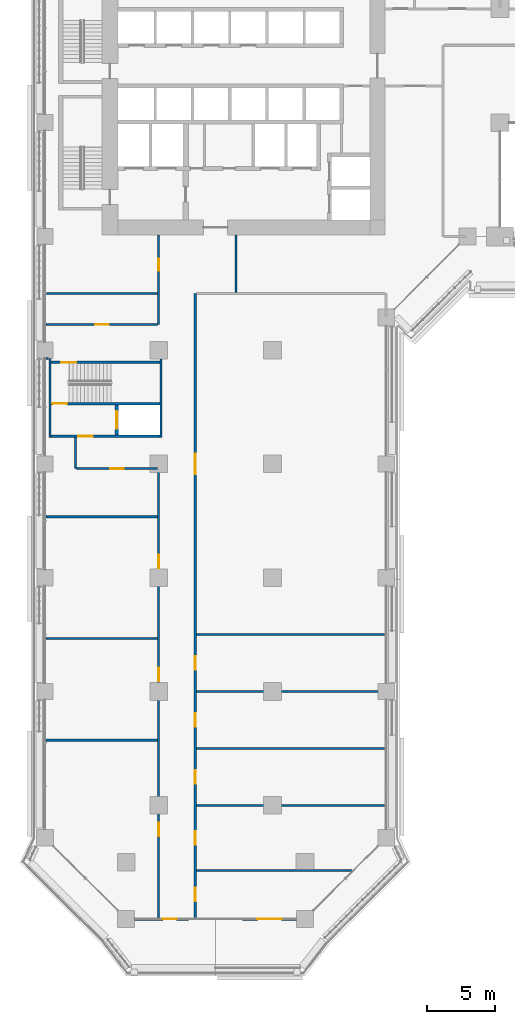
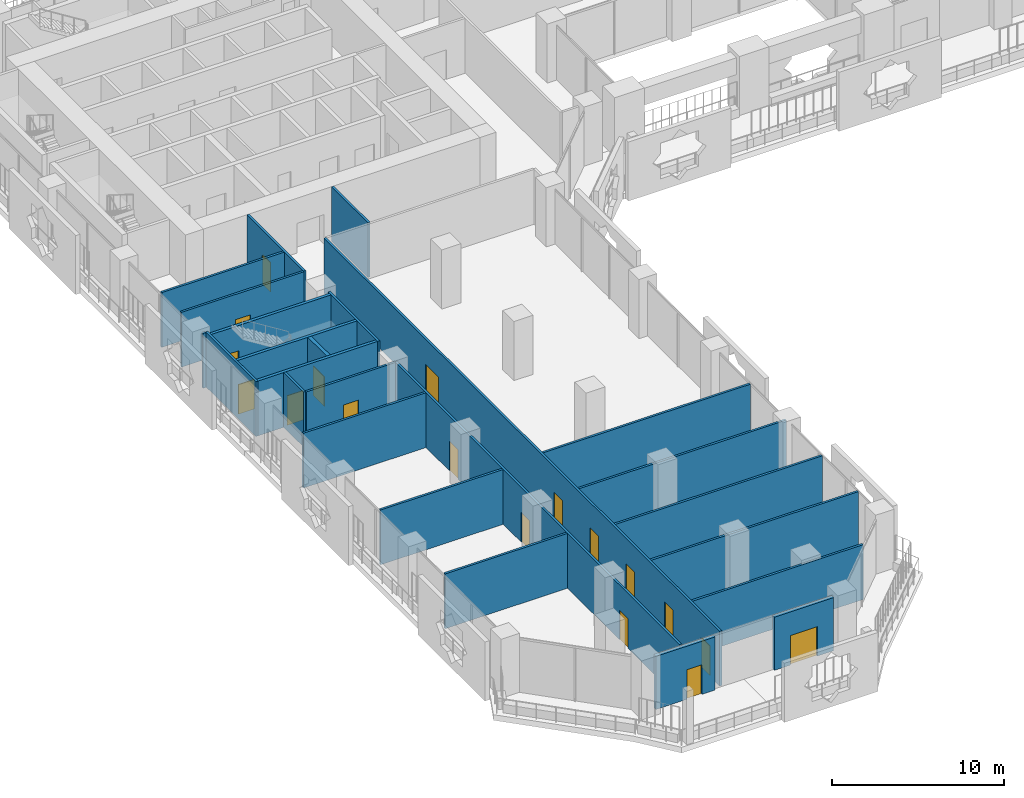
# One storey, part 13 of 27: 25 walls, 18 doors, 18 openings.
"""IFC4 building model written with IfcOpenShell, lengths in metres."""

from ifc_helpers import new_model, si_unit, direction, frame, frame_2d, origin, place, context, subcontext, project, spatial, rectangle, extrude, material, layer, layer_set, type_object, element, fill, save


model = new_model("IFC4")

# Units and contexts
model_context = context("Model", 3, precision=1e-05, world=origin(), true_north=direction((0.0, 1.0)))
body_context = subcontext(model_context, "Body", "Model", "MODEL_VIEW")
ifc_project = project(units=[si_unit("LENGTHUNIT", "METRE"), si_unit("AREAUNIT", "SQUARE_METRE"), si_unit("VOLUMEUNIT", "CUBIC_METRE"), si_unit("PLANEANGLEUNIT", "RADIAN"), si_unit("MASSUNIT", "GRAM", prefix="KILO")], contexts=[model_context])

# Site, building, storey
site_placement = place(None, origin())
site = spatial("IfcSite", under=ifc_project, at=site_placement, CompositionType="ELEMENT")
building_placement = place(site_placement, origin())
building = spatial("IfcBuilding", under=site, at=building_placement, Name="Kawkab Arch Medical Tower", CompositionType="ELEMENT")
storey_placement = place(building_placement, frame((0.0, 0.0, 43.39990234375)))
storey = spatial("IfcBuildingStorey", under=building, at=storey_placement, Name="L09", CompositionType="ELEMENT", Elevation=43.39990234375)

# Wall, opening, door
ifc_material_1 = material(Name="Concrete C60/75", Category="concrete")
ifc_layer_1 = layer(ifc_material_1, 0.25)
ifc_layer_set_1 = layer_set([ifc_layer_1], Name="Concrete C60/75")
wall_type_1 = type_object("IfcWallType", Name="Core shear wall 250 C60/75", PredefinedType="SHEAR", material=ifc_layer_set_1)
wall_1_placement = place(storey_placement, frame((5.300048828125, -39.85009765625, 0.0), z_axis=(0.0, 0.0, 1.0), x_axis=(0.0, 1.0, 0.0)))
wall_1 = element("IfcWall", 1, at=wall_1_placement, inside=storey, type_object=wall_type_1, Name="L09 core shear wall", PredefinedType="SHEAR", context=body_context, shape_type="SweptSolid", body=[
    extrude(rectangle(XDim=2.2001953125, YDim=0.25, at=frame_2d((1.10009765625, 0.0))), origin(), (0.0, 0.0, 1.0), 3.900146484375),
])
opening_1_placement = place(wall_1_placement, frame((0.449951171875, 0.0, 0.0)))
opening_1 = element("IfcOpeningElement", 2, at=opening_1_placement, cuts=wall_1, Name="Opening LD2", PredefinedType="OPENING", context=body_context, shape_type="SweptSolid", body=[
    extrude(rectangle(XDim=1.300048828125, YDim=2.10009765625, at=frame_2d((0.64990234375, 1.050048828125))), frame((0.0, 0.135009765625, 0.0), z_axis=(0.0, -1.0, 0.0), x_axis=(1.0, 0.0, 0.0)), (0.0, 0.0, 1.0), 0.27001953125),
])
ifc_material_2 = material(Name="Stainless steel lift door leaf", Category="steel")
door_type_1 = type_object("IfcDoorType", Name="Lift landing door 1300", OperationType="DOUBLE_DOOR_SLIDING", PredefinedType="DOOR", material=ifc_material_2)
door_1_placement = place(opening_1_placement, origin())
door_1 = element("IfcDoor", 3, at=door_1_placement, inside=storey, type_object=door_type_1, Name="L09 Lift landing door SV2", OperationType="DOUBLE_DOOR_SLIDING", OverallHeight=2.10009765625, OverallWidth=1.300048828125, PredefinedType="DOOR", context=body_context, shape_type="SweptSolid", body=[
    extrude(rectangle(XDim=1.300048828125, YDim=2.10009765625, at=frame_2d((0.64990234375, 1.050048828125))), frame((0.0, 0.02490234375, 0.0), z_axis=(0.0, -1.0, 0.0), x_axis=(1.0, 0.0, 0.0)), (0.0, 0.0, 1.0), 0.050048828125),
])
fill(opening_1, door_1)

ifc_material_3 = material(Name="Bronze clad insulated wall panel")
ifc_layer_2 = layer(ifc_material_3, 0.25)
ifc_layer_set_2 = layer_set([ifc_layer_2], Name="Bronze clad insulated wall panel")
wall_type_2 = type_object("IfcWallType", Name="External wall bay 250", PredefinedType="SOLIDWALL", material=ifc_layer_set_2)
wall_2_placement = place(storey_placement, frame((6.625, -75.60009765625, 0.0), z_axis=(0.0, 0.0, 1.0), x_axis=(1.0, 0.0, 0.0)))
wall_2 = element("IfcWall", 4, at=wall_2_placement, inside=storey, type_object=wall_type_2, Name="External wall bay L09.R13.1.1", PredefinedType="SOLIDWALL", context=body_context, shape_type="SweptSolid", body=[
    extrude(rectangle(XDim=3.9833984375, YDim=0.25, at=frame_2d((1.99169921875, 0.0))), origin(), (0.0, 0.0, 1.0), 3.780029296875),
])
opening_2_placement = place(wall_2_placement, frame((2.091796875, 0.0, 0.0)))
opening_2 = element("IfcOpeningElement", 5, at=opening_2_placement, cuts=wall_2, Name="Opening B09-702", PredefinedType="OPENING", context=body_context, shape_type="SweptSolid", body=[
    extrude(rectangle(XDim=1.0, YDim=2.10009765625, at=frame_2d((0.5, 1.050048828125))), frame((0.0, 0.135009765625, 0.0), z_axis=(0.0, -1.0, 0.0), x_axis=(1.0, 0.0, 0.0)), (0.0, 0.0, 1.0), 0.27001953125),
])
ifc_material_4 = material(Name="Bronze anodised aluminium door with tinted glass", Category="aluminium")
door_type_2 = type_object("IfcDoorType", Name="Single external door 1000 x 2100", OperationType="SINGLE_SWING_LEFT", PredefinedType="DOOR", material=ifc_material_4)
door_2_placement = place(opening_2_placement, origin())
door_2 = element("IfcDoor", 6, at=door_2_placement, inside=storey, type_object=door_type_2, Name="External door L09.R13.1.1", OperationType="SINGLE_SWING_LEFT", OverallHeight=2.10009765625, OverallWidth=1.0, PredefinedType="DOOR", context=body_context, shape_type="SweptSolid", body=[
    extrude(rectangle(XDim=1.0, YDim=2.10009765625, at=frame_2d((0.5, 1.050048828125))), frame((0.0, 0.02490234375, 0.0), z_axis=(0.0, -1.0, 0.0), x_axis=(1.0, 0.0, 0.0)), (0.0, 0.0, 1.0), 0.050048828125),
])
fill(opening_2, door_2)

wall_3_placement = place(storey_placement, frame((14.591552734375, -75.60009765625, 0.0), z_axis=(0.0, 0.0, 1.0), x_axis=(1.0, 0.0, 0.0)))
wall_3 = element("IfcWall", 7, at=wall_3_placement, inside=storey, type_object=wall_type_2, Name="External wall bay L09.R13.1.3", PredefinedType="SOLIDWALL", context=body_context, shape_type="SweptSolid", body=[
    extrude(rectangle(XDim=3.9833984375, YDim=0.25, at=frame_2d((1.99169921875, 0.0))), origin(), (0.0, 0.0, 1.0), 3.780029296875),
])
opening_3_placement = place(wall_3_placement, frame((1.091796875, 0.0, 0.0)))
opening_3 = element("IfcOpeningElement", 8, at=opening_3_placement, cuts=wall_3, Name="Opening B09-701", PredefinedType="OPENING", context=body_context, shape_type="SweptSolid", body=[
    extrude(rectangle(XDim=1.800048828125, YDim=2.10009765625, at=frame_2d((0.89990234375, 1.050048828125))), frame((0.0, 0.135009765625, 0.0), z_axis=(0.0, -1.0, 0.0), x_axis=(1.0, 0.0, 0.0)), (0.0, 0.0, 1.0), 0.27001953125),
])
ifc_material_5 = material(Name="Bronze anodised aluminium door with tinted glass", Category="aluminium")
door_type_3 = type_object("IfcDoorType", Name="Double external door 1800 x 2100", OperationType="DOUBLE_DOOR_SINGLE_SWING", PredefinedType="DOOR", material=ifc_material_5)
door_3_placement = place(opening_3_placement, origin())
door_3 = element("IfcDoor", 9, at=door_3_placement, inside=storey, type_object=door_type_3, Name="External door L09.R13.1.3", OperationType="DOUBLE_DOOR_SINGLE_SWING", OverallHeight=2.10009765625, OverallWidth=1.800048828125, PredefinedType="DOOR", context=body_context, shape_type="SweptSolid", body=[
    extrude(rectangle(XDim=1.800048828125, YDim=2.10009765625, at=frame_2d((0.89990234375, 1.050048828125))), frame((0.0, 0.02490234375, 0.0), z_axis=(0.0, -1.0, 0.0), x_axis=(1.0, 0.0, 0.0)), (0.0, 0.0, 1.0), 0.050048828125),
])
fill(opening_3, door_3)

# Walls
ifc_material_6 = material(Name="Gypsum board partition on steel studs, mineral wool", Category="steel")
ifc_layer_3 = layer(ifc_material_6, 0.14990234375)
ifc_layer_set_3 = layer_set([ifc_layer_3], Name="Gypsum board partition on steel studs, mineral wool")
wall_type_3 = type_object("IfcWallType", Name="Partition 150", PredefinedType="PARTITIONING", material=ifc_layer_set_3)
wall_4_placement = place(storey_placement, frame((11.175048828125, -72.0, 0.0), z_axis=(0.0, 0.0, 1.0), x_axis=(1.0, 0.0, 0.0)))
element("IfcWall", 10, at=wall_4_placement, inside=storey, type_object=wall_type_3, Name="Partition 150 w001", PredefinedType="PARTITIONING", context=body_context, shape_type="SweptSolid", body=[
    extrude(rectangle(XDim=11.511962890625, YDim=0.14990234375, at=frame_2d((5.755859375, 0.0))), origin(), (0.0, 0.0, 1.0), 3.900146484375),
])
for number, where, z_axis, x_axis, name in (
    (11, (11.175048828125, -67.199951171875, 0.0), (0.0, 0.0, 1.0), (1.0, 0.0, 0.0), "Partition 150 w002"),
    (12, (11.175048828125, -63.0, 0.0), (0.0, 0.0, 1.0), (1.0, 0.0, 0.0), "Partition 150 w003"),
):
    element("IfcWall", number, at=place(storey_placement, frame(where, z_axis=z_axis, x_axis=x_axis)), inside=storey, type_object=wall_type_3, Name=name, PredefinedType="PARTITIONING", context=body_context, shape_type="SweptSolid", body=[
        extrude(rectangle(XDim=13.945068359375, YDim=0.14990234375, at=frame_2d((6.97265625, 0.0))), origin(), (0.0, 0.0, 1.0), 3.900146484375),
    ])
wall_5_placement = place(storey_placement, frame((0.080078125, -62.39990234375, 0.0), z_axis=(0.0, 0.0, 1.0), x_axis=(1.0, 0.0, 0.0)))
element("IfcWall", 13, at=wall_5_placement, inside=storey, type_object=wall_type_3, Name="Partition 150 w004", PredefinedType="PARTITIONING", context=body_context, shape_type="SweptSolid", body=[
    extrude(rectangle(XDim=8.244873046875, YDim=0.14990234375, at=frame_2d((4.12255859375, 0.0))), origin(), (0.0, 0.0, 1.0), 3.900146484375),
])
wall_6_placement = place(storey_placement, frame((11.175048828125, -58.800048828125, 0.0), z_axis=(0.0, 0.0, 1.0), x_axis=(1.0, 0.0, 0.0)))
element("IfcWall", 14, at=wall_6_placement, inside=storey, type_object=wall_type_3, Name="Partition 150 w005", PredefinedType="PARTITIONING", context=body_context, shape_type="SweptSolid", body=[
    extrude(rectangle(XDim=13.945068359375, YDim=0.14990234375, at=frame_2d((6.97265625, 0.0))), origin(), (0.0, 0.0, 1.0), 3.900146484375),
])
wall_7_placement = place(storey_placement, frame((0.080078125, -54.89990234375, 0.0), z_axis=(0.0, 0.0, 1.0), x_axis=(1.0, 0.0, 0.0)))
element("IfcWall", 15, at=wall_7_placement, inside=storey, type_object=wall_type_3, Name="Partition 150 w006", PredefinedType="PARTITIONING", context=body_context, shape_type="SweptSolid", body=[
    extrude(rectangle(XDim=8.244873046875, YDim=0.14990234375, at=frame_2d((4.12255859375, 0.0))), origin(), (0.0, 0.0, 1.0), 3.900146484375),
])
wall_8_placement = place(storey_placement, frame((11.175048828125, -54.60009765625, 0.0), z_axis=(0.0, 0.0, 1.0), x_axis=(1.0, 0.0, 0.0)))
element("IfcWall", 16, at=wall_8_placement, inside=storey, type_object=wall_type_3, Name="Partition 150 w007", PredefinedType="PARTITIONING", context=body_context, shape_type="SweptSolid", body=[
    extrude(rectangle(XDim=13.945068359375, YDim=0.14990234375, at=frame_2d((6.97265625, 0.0))), origin(), (0.0, 0.0, 1.0), 3.900146484375),
])
wall_9_placement = place(storey_placement, frame((0.080078125, -45.89990234375, 0.0), z_axis=(0.0, 0.0, 1.0), x_axis=(1.0, 0.0, 0.0)))
element("IfcWall", 17, at=wall_9_placement, inside=storey, type_object=wall_type_3, Name="Partition 150 w008", PredefinedType="PARTITIONING", context=body_context, shape_type="SweptSolid", body=[
    extrude(rectangle(XDim=8.244873046875, YDim=0.14990234375, at=frame_2d((4.12255859375, 0.0))), origin(), (0.0, 0.0, 1.0), 3.900146484375),
])

# Wall, opening, door
wall_10_placement = place(storey_placement, frame((2.325927734375, -42.35009765625, 0.0), z_axis=(0.0, 0.0, 1.0), x_axis=(1.0, 0.0, 0.0)))
wall_10 = element("IfcWall", 18, at=wall_10_placement, inside=storey, type_object=wall_type_3, Name="Partition 150 w009", PredefinedType="PARTITIONING", context=body_context, shape_type="SweptSolid", body=[
    extrude(rectangle(XDim=5.9990234375, YDim=0.14990234375, at=frame_2d((2.99951171875, 0.0))), origin(), (0.0, 0.0, 1.0), 3.900146484375),
])
opening_4_placement = place(wall_10_placement, frame((2.4990234375, 0.0, 0.0)))
opening_4 = element("IfcOpeningElement", 19, at=opening_4_placement, cuts=wall_10, Name="Opening B09-013", PredefinedType="OPENING", context=body_context, shape_type="SweptSolid", body=[
    extrude(rectangle(XDim=1.0, YDim=2.10009765625, at=frame_2d((0.5, 1.050048828125))), frame((0.0, 0.0849609375, 0.0), z_axis=(0.0, -1.0, 0.0), x_axis=(1.0, 0.0, 0.0)), (0.0, 0.0, 1.0), 0.169921875),
])
ifc_material_7 = material(Name="Hollow metal door leaf")
door_type_4 = type_object("IfcDoorType", Name="Single door 1000x2100 FD30S", OperationType="NOTDEFINED", PredefinedType="DOOR", material=ifc_material_7)
door_4_placement = place(opening_4_placement, origin())
door_4 = element("IfcDoor", 20, at=door_4_placement, inside=storey, type_object=door_type_4, Name="Door B09-013", OperationType="SINGLE_SWING_RIGHT", OverallHeight=2.10009765625, OverallWidth=1.0, PredefinedType="DOOR", context=body_context, shape_type="SweptSolid", body=[
    extrude(rectangle(XDim=1.0, YDim=2.10009765625, at=frame_2d((0.5, 1.050048828125))), frame((0.0, 0.02490234375, 0.0), z_axis=(0.0, -1.0, 0.0), x_axis=(1.0, 0.0, 0.0)), (0.0, 0.0, 1.0), 0.050048828125),
])
fill(opening_4, door_4)

# Wall
wall_11_placement = place(storey_placement, frame((0.080078125, -34.199951171875, 0.0), z_axis=(0.0, 0.0, 1.0), x_axis=(1.0, 0.0, 0.0)))
element("IfcWall", 21, at=wall_11_placement, inside=storey, type_object=wall_type_3, Name="Partition 150 w010", PredefinedType="PARTITIONING", context=body_context, shape_type="SweptSolid", body=[
    extrude(rectangle(XDim=0.18994140625, YDim=0.14990234375, at=frame_2d((0.094970703125, 0.0))), origin(), (0.0, 0.0, 1.0), 3.900146484375),
])

# Wall, opening, door
wall_12_placement = place(storey_placement, frame((0.080078125, -31.70703125, 0.0), z_axis=(0.0, 0.0, 1.0), x_axis=(1.0, 0.0, 0.0)))
wall_12 = element("IfcWall", 22, at=wall_12_placement, inside=storey, type_object=wall_type_3, Name="Partition 150 w011", PredefinedType="PARTITIONING", context=body_context, shape_type="SweptSolid", body=[
    extrude(rectangle(XDim=8.244873046875, YDim=0.14990234375, at=frame_2d((4.12255859375, 0.0))), origin(), (0.0, 0.0, 1.0), 3.900146484375),
])
opening_5_placement = place(wall_12_placement, frame((3.6201171875, 0.0, 0.0)))
opening_5 = element("IfcOpeningElement", 23, at=opening_5_placement, cuts=wall_12, Name="Opening B09-012", PredefinedType="OPENING", context=body_context, shape_type="SweptSolid", body=[
    extrude(rectangle(XDim=1.0, YDim=2.10009765625, at=frame_2d((0.5, 1.050048828125))), frame((0.0, 0.0849609375, 0.0), z_axis=(0.0, -1.0, 0.0), x_axis=(1.0, 0.0, 0.0)), (0.0, 0.0, 1.0), 0.169921875),
])
door_5_placement = place(opening_5_placement, origin())
door_5 = element("IfcDoor", 24, at=door_5_placement, inside=storey, type_object=door_type_4, Name="Door B09-012", OperationType="SINGLE_SWING_RIGHT", OverallHeight=2.10009765625, OverallWidth=1.0, PredefinedType="DOOR", context=body_context, shape_type="SweptSolid", body=[
    extrude(rectangle(XDim=1.0, YDim=2.10009765625, at=frame_2d((0.5, 1.050048828125))), frame((0.0, 0.02490234375, 0.0), z_axis=(0.0, -1.0, 0.0), x_axis=(1.0, 0.0, 0.0)), (0.0, 0.0, 1.0), 0.050048828125),
])
fill(opening_5, door_5)

# Walls
wall_13_placement = place(storey_placement, frame((0.080078125, -29.39990234375, 0.0), z_axis=(0.0, 0.0, 1.0), x_axis=(1.0, 0.0, 0.0)))
element("IfcWall", 25, at=wall_13_placement, inside=storey, type_object=wall_type_3, Name="Partition 150 w012", PredefinedType="PARTITIONING", context=body_context, shape_type="SweptSolid", body=[
    extrude(rectangle(XDim=8.244873046875, YDim=0.14990234375, at=frame_2d((4.12255859375, 0.0))), origin(), (0.0, 0.0, 1.0), 3.900146484375),
])
wall_14_placement = place(storey_placement, frame((2.25, -42.347900390625, 0.0), z_axis=(0.0, 0.0, 1.0), x_axis=(0.0, 1.0, 0.0)))
element("IfcWall", 26, at=wall_14_placement, inside=storey, type_object=wall_type_3, Name="Partition 150 w020", PredefinedType="PARTITIONING", context=body_context, shape_type="SweptSolid", body=[
    extrude(rectangle(XDim=2.2978515625, YDim=0.14990234375, at=frame_2d((1.14892578125, 0.0))), origin(), (0.0, 0.0, 1.0), 3.900146484375),
])

# Wall, openings, doors
wall_15_placement = place(storey_placement, frame((8.39990234375, -75.52001953125, 0.0), z_axis=(0.0, 0.0, 1.0), x_axis=(0.0, 1.0, 0.0)))
wall_15 = element("IfcWall", 27, at=wall_15_placement, inside=storey, type_object=wall_type_3, Name="Partition 150 w021", PredefinedType="PARTITIONING", context=body_context, shape_type="SweptSolid", body=[
    extrude(rectangle(XDim=33.169921875, YDim=0.14990234375, at=frame_2d((16.5849609375, 0.0))), origin(), (0.0, 0.0, 1.0), 3.900146484375),
])
opening_6_placement = place(wall_15_placement, frame((25.820068359375, 0.0, 0.0)))
opening_6 = element("IfcOpeningElement", 28, at=opening_6_placement, cuts=wall_15, Name="Opening B09-014", PredefinedType="OPENING", context=body_context, shape_type="SweptSolid", body=[
    extrude(rectangle(XDim=1.0, YDim=2.10009765625, at=frame_2d((0.5, 1.050048828125))), frame((0.0, 0.0849609375, 0.0), z_axis=(0.0, -1.0, 0.0), x_axis=(1.0, 0.0, 0.0)), (0.0, 0.0, 1.0), 0.169921875),
])
opening_7_placement = place(wall_15_placement, frame((17.469970703125, 0.0, 0.0)))
opening_7 = element("IfcOpeningElement", 29, at=opening_7_placement, cuts=wall_15, Name="Opening B09-015", PredefinedType="OPENING", context=body_context, shape_type="SweptSolid", body=[
    extrude(rectangle(XDim=1.0, YDim=2.10009765625, at=frame_2d((0.5, 1.050048828125))), frame((0.0, 0.0849609375, 0.0), z_axis=(0.0, -1.0, 0.0), x_axis=(1.0, 0.0, 0.0)), (0.0, 0.0, 1.0), 0.169921875),
])
opening_8_placement = place(wall_15_placement, frame((6.02001953125, 0.0, 0.0)))
opening_8 = element("IfcOpeningElement", 30, at=opening_8_placement, cuts=wall_15, Name="Opening B09-016", PredefinedType="OPENING", context=body_context, shape_type="SweptSolid", body=[
    extrude(rectangle(XDim=1.0, YDim=2.10009765625, at=frame_2d((0.5, 1.050048828125))), frame((0.0, 0.0849609375, 0.0), z_axis=(0.0, -1.0, 0.0), x_axis=(1.0, 0.0, 0.0)), (0.0, 0.0, 1.0), 0.169921875),
])
door_6_placement = place(opening_6_placement, origin())
door_6 = element("IfcDoor", 31, at=door_6_placement, inside=storey, type_object=door_type_4, Name="Door B09-014", OperationType="SINGLE_SWING_RIGHT", OverallHeight=2.10009765625, OverallWidth=1.0, PredefinedType="DOOR", context=body_context, shape_type="SweptSolid", body=[
    extrude(rectangle(XDim=1.0, YDim=2.10009765625, at=frame_2d((0.5, 1.050048828125))), frame((0.0, 0.02490234375, 0.0), z_axis=(0.0, -1.0, 0.0), x_axis=(1.0, 0.0, 0.0)), (0.0, 0.0, 1.0), 0.050048828125),
])
fill(opening_6, door_6)
door_7_placement = place(opening_7_placement, origin())
door_7 = element("IfcDoor", 32, at=door_7_placement, inside=storey, type_object=door_type_4, Name="Door B09-015", OperationType="SINGLE_SWING_RIGHT", OverallHeight=2.10009765625, OverallWidth=1.0, PredefinedType="DOOR", context=body_context, shape_type="SweptSolid", body=[
    extrude(rectangle(XDim=1.0, YDim=2.10009765625, at=frame_2d((0.5, 1.050048828125))), frame((0.0, 0.02490234375, 0.0), z_axis=(0.0, -1.0, 0.0), x_axis=(1.0, 0.0, 0.0)), (0.0, 0.0, 1.0), 0.050048828125),
])
fill(opening_7, door_7)
door_8_placement = place(opening_8_placement, origin())
door_8 = element("IfcDoor", 33, at=door_8_placement, inside=storey, type_object=door_type_4, Name="Door B09-016", OperationType="SINGLE_SWING_LEFT", OverallHeight=2.10009765625, OverallWidth=1.0, PredefinedType="DOOR", context=body_context, shape_type="SweptSolid", body=[
    extrude(rectangle(XDim=1.0, YDim=2.10009765625, at=frame_2d((0.5, 1.050048828125))), frame((0.0, 0.02490234375, 0.0), z_axis=(0.0, -1.0, 0.0), x_axis=(1.0, 0.0, 0.0)), (0.0, 0.0, 1.0), 0.050048828125),
])
fill(opening_8, door_8)

# Wall, opening, door
wall_16_placement = place(storey_placement, frame((8.39990234375, -31.70703125, 0.0), z_axis=(0.0, 0.0, 1.0), x_axis=(0.0, 1.0, 0.0)))
wall_16 = element("IfcWall", 34, at=wall_16_placement, inside=storey, type_object=wall_type_3, Name="Partition 150 w022", PredefinedType="PARTITIONING", context=body_context, shape_type="SweptSolid", body=[
    extrude(rectangle(XDim=6.60693359375, YDim=0.14990234375, at=frame_2d((3.303466796875, 0.0))), origin(), (0.0, 0.0, 1.0), 3.900146484375),
])
opening_9_placement = place(wall_16_placement, frame((3.95703125, 0.0, 0.0)))
opening_9 = element("IfcOpeningElement", 35, at=opening_9_placement, cuts=wall_16, Name="Opening B09-005", PredefinedType="OPENING", context=body_context, shape_type="SweptSolid", body=[
    extrude(rectangle(XDim=0.89990234375, YDim=2.10009765625, at=frame_2d((0.449951171875, 1.050048828125))), frame((0.0, 0.0849609375, 0.0), z_axis=(0.0, -1.0, 0.0), x_axis=(1.0, 0.0, 0.0)), (0.0, 0.0, 1.0), 0.169921875),
])
ifc_material_8 = material(Name="Timber door leaf", Category="wood")
door_type_5 = type_object("IfcDoorType", Name="Single door 900x2100", OperationType="NOTDEFINED", PredefinedType="DOOR", material=ifc_material_8)
door_9_placement = place(opening_9_placement, origin())
door_9 = element("IfcDoor", 36, at=door_9_placement, inside=storey, type_object=door_type_5, Name="Door B09-005", OperationType="SINGLE_SWING_RIGHT", OverallHeight=2.10009765625, OverallWidth=0.89990234375, PredefinedType="DOOR", context=body_context, shape_type="SweptSolid", body=[
    extrude(rectangle(XDim=0.89990234375, YDim=2.10009765625, at=frame_2d((0.449951171875, 1.050048828125))), frame((0.0, 0.02490234375, 0.0), z_axis=(0.0, -1.0, 0.0), x_axis=(1.0, 0.0, 0.0)), (0.0, 0.0, 1.0), 0.050048828125),
])
fill(opening_9, door_9)

# Wall, openings, doors
wall_17_placement = place(storey_placement, frame((11.10009765625, -75.52001953125, 0.0), z_axis=(0.0, 0.0, 1.0), x_axis=(0.0, 1.0, 0.0)))
wall_17 = element("IfcWall", 37, at=wall_17_placement, inside=storey, type_object=wall_type_3, Name="Partition 150 w024", PredefinedType="PARTITIONING", context=body_context, shape_type="SweptSolid", body=[
    extrude(rectangle(XDim=46.1201171875, YDim=0.14990234375, at=frame_2d((23.06005859375, 0.0))), origin(), (0.0, 0.0, 1.0), 3.900146484375),
])
opening_10_placement = place(wall_17_placement, frame((32.77001953125, 0.0, 0.0)))
opening_10 = element("IfcOpeningElement", 38, at=opening_10_placement, cuts=wall_17, Name="Opening B09-004", PredefinedType="OPENING", context=body_context, shape_type="SweptSolid", body=[
    extrude(rectangle(XDim=1.5, YDim=2.10009765625, at=frame_2d((0.75, 1.050048828125))), frame((0.0, 0.0849609375, 0.0), z_axis=(0.0, -1.0, 0.0), x_axis=(1.0, 0.0, 0.0)), (0.0, 0.0, 1.0), 0.169921875),
])
opening_11_placement = place(wall_17_placement, frame((18.320068359375, 0.0, 0.0)))
opening_11 = element("IfcOpeningElement", 39, at=opening_11_placement, cuts=wall_17, Name="Opening B09-017", PredefinedType="OPENING", context=body_context, shape_type="SweptSolid", body=[
    extrude(rectangle(XDim=1.0, YDim=2.10009765625, at=frame_2d((0.5, 1.050048828125))), frame((0.0, 0.0849609375, 0.0), z_axis=(0.0, -1.0, 0.0), x_axis=(1.0, 0.0, 0.0)), (0.0, 0.0, 1.0), 0.169921875),
])
opening_12_placement = place(wall_17_placement, frame((14.1201171875, 0.0, 0.0)))
opening_12 = element("IfcOpeningElement", 40, at=opening_12_placement, cuts=wall_17, Name="Opening B09-018", PredefinedType="OPENING", context=body_context, shape_type="SweptSolid", body=[
    extrude(rectangle(XDim=1.0, YDim=2.10009765625, at=frame_2d((0.5, 1.050048828125))), frame((0.0, 0.0849609375, 0.0), z_axis=(0.0, -1.0, 0.0), x_axis=(1.0, 0.0, 0.0)), (0.0, 0.0, 1.0), 0.169921875),
])
opening_13_placement = place(wall_17_placement, frame((9.919921875, 0.0, 0.0)))
opening_13 = element("IfcOpeningElement", 41, at=opening_13_placement, cuts=wall_17, Name="Opening B09-019", PredefinedType="OPENING", context=body_context, shape_type="SweptSolid", body=[
    extrude(rectangle(XDim=1.0, YDim=2.10009765625, at=frame_2d((0.5, 1.050048828125))), frame((0.0, 0.0849609375, 0.0), z_axis=(0.0, -1.0, 0.0), x_axis=(1.0, 0.0, 0.0)), (0.0, 0.0, 1.0), 0.169921875),
])
opening_14_placement = place(wall_17_placement, frame((5.419921875, 0.0, 0.0)))
opening_14 = element("IfcOpeningElement", 42, at=opening_14_placement, cuts=wall_17, Name="Opening B09-020", PredefinedType="OPENING", context=body_context, shape_type="SweptSolid", body=[
    extrude(rectangle(XDim=1.0, YDim=2.10009765625, at=frame_2d((0.5, 1.050048828125))), frame((0.0, 0.0849609375, 0.0), z_axis=(0.0, -1.0, 0.0), x_axis=(1.0, 0.0, 0.0)), (0.0, 0.0, 1.0), 0.169921875),
])
opening_15_placement = place(wall_17_placement, frame((1.219970703125, 0.0, 0.0)))
opening_15 = element("IfcOpeningElement", 43, at=opening_15_placement, cuts=wall_17, Name="Opening B09-021", PredefinedType="OPENING", context=body_context, shape_type="SweptSolid", body=[
    extrude(rectangle(XDim=1.0, YDim=2.10009765625, at=frame_2d((0.5, 1.050048828125))), frame((0.0, 0.0849609375, 0.0), z_axis=(0.0, -1.0, 0.0), x_axis=(1.0, 0.0, 0.0)), (0.0, 0.0, 1.0), 0.169921875),
])
ifc_material_9 = material(Name="Hollow metal door leaf")
door_type_6 = type_object("IfcDoorType", Name="Double door 1500x2100 FD30S", OperationType="NOTDEFINED", PredefinedType="DOOR", material=ifc_material_9)
door_10_placement = place(opening_10_placement, origin())
door_10 = element("IfcDoor", 44, at=door_10_placement, inside=storey, type_object=door_type_6, Name="Door B09-004", OperationType="DOUBLE_DOOR_SINGLE_SWING", OverallHeight=2.10009765625, OverallWidth=1.5, PredefinedType="DOOR", context=body_context, shape_type="SweptSolid", body=[
    extrude(rectangle(XDim=1.5, YDim=2.10009765625, at=frame_2d((0.75, 1.050048828125))), frame((0.0, 0.02490234375, 0.0), z_axis=(0.0, -1.0, 0.0), x_axis=(1.0, 0.0, 0.0)), (0.0, 0.0, 1.0), 0.050048828125),
])
fill(opening_10, door_10)
door_11_placement = place(opening_11_placement, origin())
door_11 = element("IfcDoor", 45, at=door_11_placement, inside=storey, type_object=door_type_4, Name="Door B09-017", OperationType="SINGLE_SWING_RIGHT", OverallHeight=2.10009765625, OverallWidth=1.0, PredefinedType="DOOR", context=body_context, shape_type="SweptSolid", body=[
    extrude(rectangle(XDim=1.0, YDim=2.10009765625, at=frame_2d((0.5, 1.050048828125))), frame((0.0, 0.02490234375, 0.0), z_axis=(0.0, -1.0, 0.0), x_axis=(1.0, 0.0, 0.0)), (0.0, 0.0, 1.0), 0.050048828125),
])
fill(opening_11, door_11)
door_12_placement = place(opening_12_placement, origin())
door_12 = element("IfcDoor", 46, at=door_12_placement, inside=storey, type_object=door_type_4, Name="Door B09-018", OperationType="SINGLE_SWING_RIGHT", OverallHeight=2.10009765625, OverallWidth=1.0, PredefinedType="DOOR", context=body_context, shape_type="SweptSolid", body=[
    extrude(rectangle(XDim=1.0, YDim=2.10009765625, at=frame_2d((0.5, 1.050048828125))), frame((0.0, 0.02490234375, 0.0), z_axis=(0.0, -1.0, 0.0), x_axis=(1.0, 0.0, 0.0)), (0.0, 0.0, 1.0), 0.050048828125),
])
fill(opening_12, door_12)
door_13_placement = place(opening_13_placement, origin())
door_13 = element("IfcDoor", 47, at=door_13_placement, inside=storey, type_object=door_type_4, Name="Door B09-019", OperationType="SINGLE_SWING_RIGHT", OverallHeight=2.10009765625, OverallWidth=1.0, PredefinedType="DOOR", context=body_context, shape_type="SweptSolid", body=[
    extrude(rectangle(XDim=1.0, YDim=2.10009765625, at=frame_2d((0.5, 1.050048828125))), frame((0.0, 0.02490234375, 0.0), z_axis=(0.0, -1.0, 0.0), x_axis=(1.0, 0.0, 0.0)), (0.0, 0.0, 1.0), 0.050048828125),
])
fill(opening_13, door_13)
door_14_placement = place(opening_14_placement, origin())
door_14 = element("IfcDoor", 48, at=door_14_placement, inside=storey, type_object=door_type_4, Name="Door B09-020", OperationType="SINGLE_SWING_RIGHT", OverallHeight=2.10009765625, OverallWidth=1.0, PredefinedType="DOOR", context=body_context, shape_type="SweptSolid", body=[
    extrude(rectangle(XDim=1.0, YDim=2.10009765625, at=frame_2d((0.5, 1.050048828125))), frame((0.0, 0.02490234375, 0.0), z_axis=(0.0, -1.0, 0.0), x_axis=(1.0, 0.0, 0.0)), (0.0, 0.0, 1.0), 0.050048828125),
])
fill(opening_14, door_14)
door_15_placement = place(opening_15_placement, origin())
door_15 = element("IfcDoor", 49, at=door_15_placement, inside=storey, type_object=door_type_4, Name="Door B09-021", OperationType="SINGLE_SWING_RIGHT", OverallHeight=2.10009765625, OverallWidth=1.0, PredefinedType="DOOR", context=body_context, shape_type="SweptSolid", body=[
    extrude(rectangle(XDim=1.0, YDim=2.10009765625, at=frame_2d((0.5, 1.050048828125))), frame((0.0, 0.02490234375, 0.0), z_axis=(0.0, -1.0, 0.0), x_axis=(1.0, 0.0, 0.0)), (0.0, 0.0, 1.0), 0.050048828125),
])
fill(opening_15, door_15)

# Walls
wall_18_placement = place(storey_placement, frame((14.10009765625, -29.324951171875, 0.0), z_axis=(0.0, 0.0, 1.0), x_axis=(0.0, 1.0, 0.0)))
element("IfcWall", 50, at=wall_18_placement, inside=storey, type_object=wall_type_3, Name="Partition 150 w025", PredefinedType="PARTITIONING", context=body_context, shape_type="SweptSolid", body=[
    extrude(rectangle(XDim=4.224853515625, YDim=0.14990234375, at=frame_2d((2.1123046875, 0.0))), origin(), (0.0, 0.0, 1.0), 3.900146484375),
])
ifc_material_10 = material(Name="Concrete C50/60", Category="concrete")
ifc_layer_4 = layer(ifc_material_10, 0.14990234375)
ifc_layer_set_4 = layer_set([ifc_layer_4], Name="Concrete C50/60")
wall_type_4 = type_object("IfcWallType", Name="Stair enclosure wall 150 C50/60", PredefinedType="SHEAR", material=ifc_layer_set_4)
wall_19_placement = place(storey_placement, frame((0.375, -40.050048828125, 0.0), z_axis=(0.0, 0.0, 1.0), x_axis=(0.0, 1.0, 0.0)))
element("IfcWall", 51, at=wall_19_placement, inside=storey, type_object=wall_type_4, Name="L09 stair enclosure wall", PredefinedType="SHEAR", context=body_context, shape_type="SweptSolid", body=[
    extrude(rectangle(XDim=5.85009765625, YDim=0.14990234375, at=frame_2d((2.925048828125, 0.0))), origin(), (0.0, 0.0, 1.0), 3.900146484375),
])
wall_20_placement = place(storey_placement, frame((8.574951171875, -40.050048828125, 0.0), z_axis=(0.0, 0.0, 1.0), x_axis=(0.0, 1.0, 0.0)))
element("IfcWall", 52, at=wall_20_placement, inside=storey, type_object=wall_type_4, Name="L09 stair enclosure wall", PredefinedType="SHEAR", context=body_context, shape_type="SweptSolid", body=[
    extrude(rectangle(XDim=5.800048828125, YDim=0.14990234375, at=frame_2d((2.89990234375, 0.0))), origin(), (0.0, 0.0, 1.0), 3.900146484375),
])

# Wall, opening, door
ifc_material_11 = material(Name="Concrete C50/60", Category="concrete")
ifc_layer_5 = layer(ifc_material_11, 0.199951171875)
ifc_layer_set_5 = layer_set([ifc_layer_5], Name="Concrete C50/60")
wall_type_5 = type_object("IfcWallType", Name="Stair enclosure wall 200 C50/60", PredefinedType="SHEAR", material=ifc_layer_set_5)
wall_21_placement = place(storey_placement, frame((0.449951171875, -34.5, 0.0), z_axis=(0.0, 0.0, 1.0), x_axis=(1.0, 0.0, 0.0)))
wall_21 = element("IfcWall", 53, at=wall_21_placement, inside=storey, type_object=wall_type_5, Name="L09 stair enclosure wall", PredefinedType="SHEAR", context=body_context, shape_type="SweptSolid", body=[
    extrude(rectangle(XDim=8.050048828125, YDim=0.199951171875, at=frame_2d((4.02490234375, 0.0))), origin(), (0.0, 0.0, 1.0), 3.900146484375),
])
opening_16_placement = place(wall_21_placement, frame((0.75, 0.0, 0.0)))
opening_16 = element("IfcOpeningElement", 54, at=opening_16_placement, cuts=wall_21, Name="Opening SD", PredefinedType="OPENING", context=body_context, shape_type="SweptSolid", body=[
    extrude(rectangle(XDim=1.10009765625, YDim=2.10009765625, at=frame_2d((0.550048828125, 1.050048828125))), frame((0.0, 0.10986328125, 0.0), z_axis=(0.0, -1.0, 0.0), x_axis=(1.0, 0.0, 0.0)), (0.0, 0.0, 1.0), 0.219970703125),
])
ifc_material_12 = material(Name="Hollow metal fire door leaf")
door_type_7 = type_object("IfcDoorType", Name="Exit stair door 1100", OperationType="SINGLE_SWING_LEFT", PredefinedType="DOOR", material=ifc_material_12)
door_16_placement = place(opening_16_placement, origin())
door_16 = element("IfcDoor", 55, at=door_16_placement, inside=storey, type_object=door_type_7, Name="L09 Exit stair ST6 door", OperationType="SINGLE_SWING_LEFT", OverallHeight=2.10009765625, OverallWidth=1.10009765625, PredefinedType="DOOR", context=body_context, shape_type="SweptSolid", body=[
    extrude(rectangle(XDim=1.10009765625, YDim=2.10009765625, at=frame_2d((0.550048828125, 1.050048828125))), frame((0.0, 0.02490234375, 0.0), z_axis=(0.0, -1.0, 0.0), x_axis=(1.0, 0.0, 0.0)), (0.0, 0.0, 1.0), 0.050048828125),
])
fill(opening_16, door_16)

wall_22_placement = place(storey_placement, frame((0.449951171875, -37.550048828125, 0.0), z_axis=(0.0, 0.0, 1.0), x_axis=(1.0, 0.0, 0.0)))
wall_22 = element("IfcWall", 56, at=wall_22_placement, inside=storey, type_object=wall_type_5, Name="L09 stair enclosure wall", PredefinedType="SHEAR", context=body_context, shape_type="SweptSolid", body=[
    extrude(rectangle(XDim=8.050048828125, YDim=0.199951171875, at=frame_2d((4.02490234375, 0.0))), origin(), (0.0, 0.0, 1.0), 3.900146484375),
])
opening_17_placement = place(wall_22_placement, frame((0.10009765625, 0.0, 0.0)))
opening_17 = element("IfcOpeningElement", 57, at=opening_17_placement, cuts=wall_22, Name="Opening SD", PredefinedType="OPENING", context=body_context, shape_type="SweptSolid", body=[
    extrude(rectangle(XDim=1.10009765625, YDim=2.10009765625, at=frame_2d((0.550048828125, 1.050048828125))), frame((0.0, 0.10986328125, 0.0), z_axis=(0.0, -1.0, 0.0), x_axis=(1.0, 0.0, 0.0)), (0.0, 0.0, 1.0), 0.219970703125),
])
door_17_placement = place(opening_17_placement, frame((1.10009765625, 0.0, 0.0), z_axis=(0.0, 0.0, 1.0), x_axis=(-1.0, 0.0, 0.0)))
door_17 = element("IfcDoor", 58, at=door_17_placement, inside=storey, type_object=door_type_7, Name="L09 Exit stair ST6 lobby door", OperationType="SINGLE_SWING_LEFT", OverallHeight=2.10009765625, OverallWidth=1.10009765625, PredefinedType="DOOR", context=body_context, shape_type="SweptSolid", body=[
    extrude(rectangle(XDim=1.10009765625, YDim=2.10009765625, at=frame_2d((0.550048828125, 1.050048828125))), frame((0.0, 0.02490234375, 0.0), z_axis=(0.0, -1.0, 0.0), x_axis=(1.0, 0.0, 0.0)), (0.0, 0.0, 1.0), 0.050048828125),
])
fill(opening_17, door_17)

wall_23_placement = place(storey_placement, frame((0.449951171875, -39.949951171875, 0.0), z_axis=(0.0, 0.0, 1.0), x_axis=(1.0, 0.0, 0.0)))
wall_23 = element("IfcWall", 59, at=wall_23_placement, inside=storey, type_object=wall_type_5, Name="L09 stair enclosure wall", PredefinedType="SHEAR", context=body_context, shape_type="SweptSolid", body=[
    extrude(rectangle(XDim=8.050048828125, YDim=0.199951171875, at=frame_2d((4.02490234375, 0.0))), origin(), (0.0, 0.0, 1.0), 3.900146484375),
])
opening_18_placement = place(wall_23_placement, frame((2.0, 0.0, 0.0)))
opening_18 = element("IfcOpeningElement", 60, at=opening_18_placement, cuts=wall_23, Name="Opening FD", PredefinedType="OPENING", context=body_context, shape_type="SweptSolid", body=[
    extrude(rectangle(XDim=1.10009765625, YDim=2.10009765625, at=frame_2d((0.550048828125, 1.050048828125))), frame((0.0, 0.10986328125, 0.0), z_axis=(0.0, -1.0, 0.0), x_axis=(1.0, 0.0, 0.0)), (0.0, 0.0, 1.0), 0.219970703125),
])
ifc_material_13 = material(Name="Hollow metal fire door leaf")
door_type_8 = type_object("IfcDoorType", Name="Firefighting lobby door 1100", OperationType="SINGLE_SWING_LEFT", PredefinedType="DOOR", material=ifc_material_13)
door_18_placement = place(opening_18_placement, origin())
door_18 = element("IfcDoor", 61, at=door_18_placement, inside=storey, type_object=door_type_8, Name="L09 Service lift lobby door SV2", OperationType="SINGLE_SWING_LEFT", OverallHeight=2.10009765625, OverallWidth=1.10009765625, PredefinedType="DOOR", context=body_context, shape_type="SweptSolid", body=[
    extrude(rectangle(XDim=1.10009765625, YDim=2.10009765625, at=frame_2d((0.550048828125, 1.050048828125))), frame((0.0, 0.02490234375, 0.0), z_axis=(0.0, -1.0, 0.0), x_axis=(1.0, 0.0, 0.0)), (0.0, 0.0, 1.0), 0.050048828125),
])
fill(opening_18, door_18)

save(model, "model.ifc")
